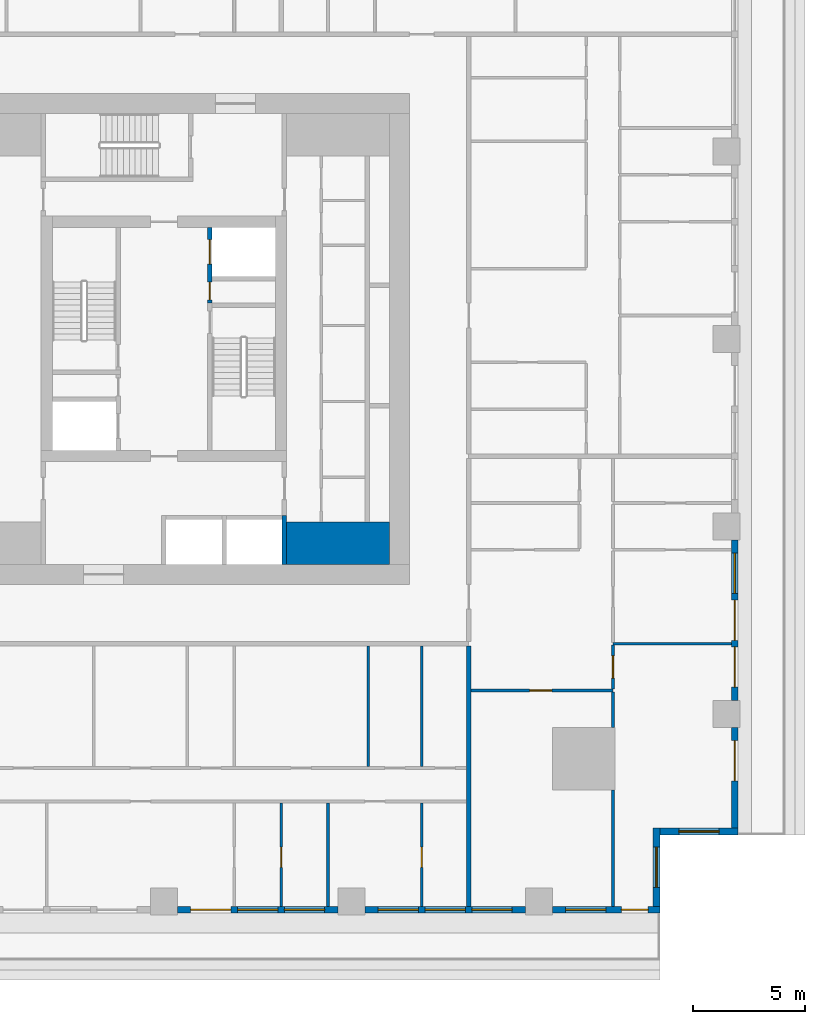
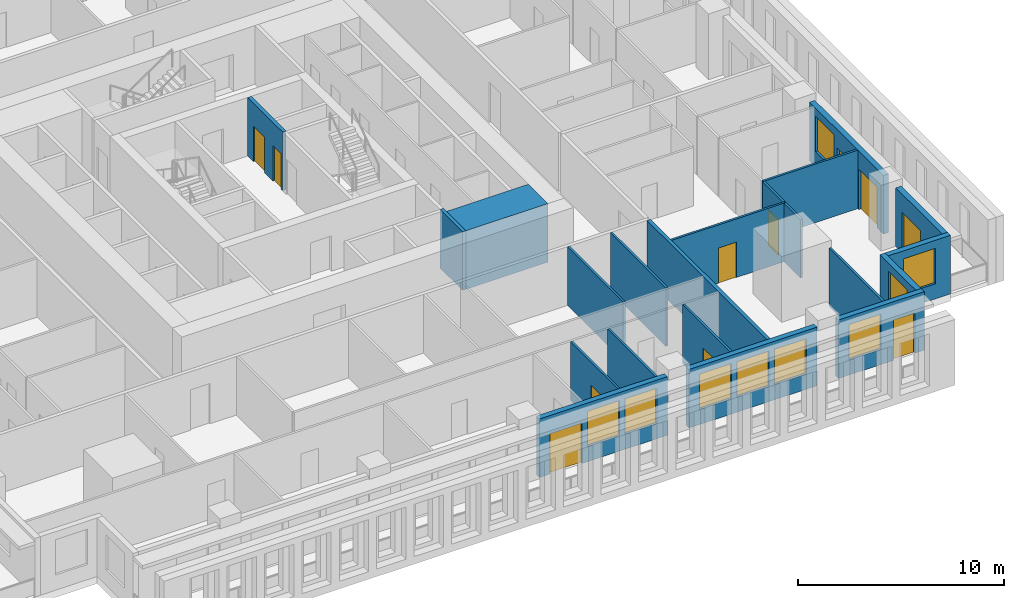
# One storey, part 4 of 14: 21 walls, 11 doors, 9 windows, 20 openings.
"""IFC4 building model written with IfcOpenShell, lengths in metres."""

from ifc_helpers import new_model, si_unit, direction, frame, frame_2d, origin, place, context, subcontext, project, spatial, rectangle, extrude, material, layer, layer_set, type_object, element, fill, save


model = new_model("IFC4")

# Units and contexts
model_context = context("Model", 3, precision=1e-05, world=origin(), true_north=direction((0.0, 1.0)))
body_context = subcontext(model_context, "Body", "Model", "MODEL_VIEW")
ifc_project = project(units=[si_unit("LENGTHUNIT", "METRE"), si_unit("AREAUNIT", "SQUARE_METRE"), si_unit("VOLUMEUNIT", "CUBIC_METRE"), si_unit("PLANEANGLEUNIT", "RADIAN"), si_unit("MASSUNIT", "GRAM", prefix="KILO")], contexts=[model_context])

# Site, building, storey
site_placement = place(None, origin())
site = spatial("IfcSite", under=ifc_project, at=site_placement, CompositionType="ELEMENT")
building_placement = place(site_placement, origin())
building = spatial("IfcBuilding", under=site, at=building_placement, Name="Khepri Terraces", CompositionType="ELEMENT")
storey_placement = place(building_placement, frame((0.0, 0.0, 106.5)))
storey = spatial("IfcBuildingStorey", under=building, at=storey_placement, Name="L25", CompositionType="ELEMENT", Elevation=106.5)

# Walls
ifc_material_1 = material(Name="Concrete C70/85", Category="concrete")
ifc_layer_1 = layer(ifc_material_1, 1.89990234375, Name="Concrete C70/85", Category="concrete")
ifc_layer_set_1 = layer_set([ifc_layer_1], Name="Concrete C70/85")
wall_type_1 = type_object("IfcWallType", Name="Core wall 1900 C70/85", PredefinedType="SHEAR", material=ifc_layer_set_1)
wall_1_placement = place(storey_placement, frame((5.5, -9.14990234375, 0.0), z_axis=(0.0, 0.0, 1.0), x_axis=(1.0, 0.0, 0.0)))
element("IfcWall", 1, at=wall_1_placement, inside=storey, type_object=wall_type_1, Name="Core wall PR02 L25", PredefinedType="SHEAR", context=body_context, shape_type="SweptSolid", body=[
    extrude(rectangle(XDim=4.60009765625, YDim=1.89990234375, at=frame_2d((2.300048828125, 0.0))), origin(), (0.0, 0.0, 1.0), 3.47998046875),
])
ifc_layer_2 = layer(ifc_material_1, 0.199951171875, Name="Concrete C70/85", Category="concrete")
ifc_layer_set_2 = layer_set([ifc_layer_2], Name="Concrete C70/85")
wall_type_2 = type_object("IfcWallType", Name="Core wall 200 C70/85", PredefinedType="SHEAR", material=ifc_layer_set_2)
wall_2_placement = place(storey_placement, frame((5.39990234375, -10.10009765625, 0.0), z_axis=(0.0, 0.0, 1.0), x_axis=(0.0, 1.0, 0.0)))
element("IfcWall", 2, at=wall_2_placement, inside=storey, type_object=wall_type_2, Name="Core wall SH03 L25", PredefinedType="SHEAR", context=body_context, shape_type="SweptSolid", body=[
    extrude(rectangle(XDim=2.2001953125, YDim=0.199951171875, at=frame_2d((1.10009765625, 0.0))), origin(), (0.0, 0.0, 1.0), 3.47998046875),
])

# Wall, openings, doors
wall_3_placement = place(storey_placement, frame((2.050048828125, 1.60009765625, 0.0), z_axis=(0.0, 0.0, 1.0), x_axis=(0.0, 1.0, 0.0)))
wall_3 = element("IfcWall", 3, at=wall_3_placement, inside=storey, type_object=wall_type_2, Name="Core wall SH15 L25", PredefinedType="SHEAR", context=body_context, shape_type="SweptSolid", body=[
    extrude(rectangle(XDim=3.39990234375, YDim=0.199951171875, at=frame_2d((1.699951171875, 0.0))), origin(), (0.0, 0.0, 1.0), 3.47998046875),
])
opening_1_placement = place(wall_3_placement, frame((1.75, 0.0, 0.0)))
opening_1 = element("IfcOpeningElement", 4, at=opening_1_placement, cuts=wall_3, Name="Opening L25-C07", PredefinedType="OPENING", context=body_context, shape_type="SweptSolid", body=[
    extrude(rectangle(XDim=1.10009765625, YDim=2.10009765625, at=frame_2d((0.550048828125, 1.050048828125))), frame((0.0, 0.10986328125, 0.0), z_axis=(0.0, -1.0, 0.0), x_axis=(1.0, 0.0, 0.0)), (0.0, 0.0, 1.0), 0.219970703125),
])
opening_2_placement = place(wall_3_placement, frame((0.14990234375, 0.0, 0.0)))
opening_2 = element("IfcOpeningElement", 5, at=opening_2_placement, cuts=wall_3, Name="Opening L25-C11", PredefinedType="OPENING", context=body_context, shape_type="SweptSolid", body=[
    extrude(rectangle(XDim=0.800048828125, YDim=2.10009765625, at=frame_2d((0.39990234375, 1.050048828125))), frame((0.0, 0.10986328125, 0.0), z_axis=(0.0, -1.0, 0.0), x_axis=(1.0, 0.0, 0.0)), (0.0, 0.0, 1.0), 0.219970703125),
])
ifc_material_2 = material(Name="Stainless steel 304", Category="steel")
door_type_1 = type_object("IfcDoorType", Name="DR-CORE-FF-LANDING-1100", OperationType="NOTDEFINED", PredefinedType="DOOR", material=ifc_material_2)
door_1_placement = place(opening_1_placement, origin())
door_1 = element("IfcDoor", 6, at=door_1_placement, inside=storey, type_object=door_type_1, Name="Firefighting lift landing door L25-C07", OperationType="SLIDING_TO_LEFT", OverallHeight=2.10009765625, OverallWidth=1.10009765625, PredefinedType="DOOR", context=body_context, shape_type="SweptSolid", body=[
    extrude(rectangle(XDim=1.10009765625, YDim=2.10009765625, at=frame_2d((0.550048828125, 1.050048828125))), frame((0.0, 0.02490234375, 0.0), z_axis=(0.0, -1.0, 0.0), x_axis=(1.0, 0.0, 0.0)), (0.0, 0.0, 1.0), 0.050048828125),
])
fill(opening_1, door_1)
ifc_material_3 = material(Name="Painted steel", Category="steel")
door_type_2 = type_object("IfcDoorType", Name="DR-CORE-RISER-800", OperationType="NOTDEFINED", PredefinedType="DOOR", material=ifc_material_3)
door_2_placement = place(opening_2_placement, frame((0.800048828125, 0.0, 0.0), z_axis=(0.0, 0.0, 1.0), x_axis=(-1.0, 0.0, 0.0)))
door_2 = element("IfcDoor", 7, at=door_2_placement, inside=storey, type_object=door_type_2, Name="Riser door L25-C11", OperationType="SINGLE_SWING_RIGHT", OverallHeight=2.10009765625, OverallWidth=0.800048828125, PredefinedType="DOOR", context=body_context, shape_type="SweptSolid", body=[
    extrude(rectangle(XDim=0.800048828125, YDim=2.10009765625, at=frame_2d((0.39990234375, 1.050048828125))), frame((0.0, 0.02490234375, 0.0), z_axis=(0.0, -1.0, 0.0), x_axis=(1.0, 0.0, 0.0)), (0.0, 0.0, 1.0), 0.050048828125),
])
fill(opening_2, door_2)

# Wall
ifc_material_4 = material(Name="Fire-rated gypsum plasterboard partition, mineral wool")
ifc_layer_3 = layer(ifc_material_4, 0.199951171875, Name="Fire-rated gypsum plasterboard partition, mineral wool")
ifc_layer_set_3 = layer_set([ifc_layer_3], Name="Fire-rated gypsum plasterboard partition, mineral wool")
wall_type_3 = type_object("IfcWallType", Name="WL-CORR-200", PredefinedType="PARTITIONING", material=ifc_layer_set_3)
wall_4_placement = place(storey_placement, frame((13.64990234375, -25.419921875, 0.0), z_axis=(0.0, 0.0, 1.0), x_axis=(0.0, 1.0, 0.0)))
element("IfcWall", 8, at=wall_4_placement, inside=storey, type_object=wall_type_3, Name="Partition P-007 L25", PredefinedType="PARTITIONING", context=body_context, shape_type="SweptSolid", body=[
    extrude(rectangle(XDim=11.669921875, YDim=0.199951171875, at=frame_2d((5.8349609375, 0.0))), origin(), (0.0, 0.0, 1.0), 3.47998046875),
])

# Wall, opening, window
ifc_material_5 = material(Name="Precast concrete C50/60 warm stone", Category="masonry")
ifc_layer_4 = layer(ifc_material_5, 0.300048828125, Name="Precast concrete C50/60 warm stone", Category="masonry")
ifc_layer_set_4 = layer_set([ifc_layer_4], Name="Precast concrete C50/60 warm stone")
wall_type_4 = type_object("IfcWallType", Name="WL-EXT-PRECAST-300", PredefinedType="STANDARD", material=ifc_layer_set_4)
wall_5_placement = place(storey_placement, frame((22.219970703125, -22.070068359375, 0.0), z_axis=(0.0, 0.0, 1.0), x_axis=(1.0, 0.0, 0.0)))
wall_5 = element("IfcWall", 9, at=wall_5_placement, inside=storey, type_object=wall_type_4, Name="External wall L25 S", PredefinedType="STANDARD", context=body_context, shape_type="SweptSolid", body=[
    extrude(rectangle(XDim=3.5, YDim=0.300048828125, at=frame_2d((1.75, 0.0))), origin(), (0.0, 0.0, 1.0), 3.47998046875),
])
opening_3_placement = place(wall_5_placement, frame((0.85009765625, 0.0, 0.89990234375)))
opening_3 = element("IfcOpeningElement", 10, at=opening_3_placement, cuts=wall_5, Name="Opening W1", PredefinedType="OPENING", context=body_context, shape_type="SweptSolid", body=[
    extrude(rectangle(XDim=1.800048828125, YDim=2.10009765625, at=frame_2d((0.89990234375, 1.050048828125))), frame((0.0, 0.16015625, 0.0), z_axis=(0.0, -1.0, 0.0), x_axis=(1.0, 0.0, 0.0)), (0.0, 0.0, 1.0), 0.320068359375),
])
ifc_material_6 = material(Name="Clear glass", Category="glass")
window_type = type_object("IfcWindowType", Name="WIN-RES-1800x2100", PartitioningType="SINGLE_PANEL", PredefinedType="WINDOW", material=ifc_material_6)
window_1_placement = place(opening_3_placement, origin())
window_1 = element("IfcWindow", 11, at=window_1_placement, inside=storey, type_object=window_type, Name="Window L25 S", OverallHeight=2.10009765625, OverallWidth=1.800048828125, PartitioningType="SINGLE_PANEL", PredefinedType="WINDOW", context=body_context, shape_type="SweptSolid", body=[
    extrude(rectangle(XDim=1.800048828125, YDim=2.10009765625, at=frame_2d((0.89990234375, 1.050048828125))), frame((0.0, 0.030029296875, 0.0), z_axis=(0.0, -1.0, 0.0), x_axis=(1.0, 0.0, 0.0)), (0.0, 0.0, 1.0), 0.06005859375),
])
fill(opening_3, window_1)

# Wall, opening, door
wall_6_placement = place(storey_placement, frame((25.570068359375, -21.919921875, 0.0), z_axis=(0.0, 0.0, 1.0), x_axis=(0.0, 1.0, 0.0)))
wall_6 = element("IfcWall", 12, at=wall_6_placement, inside=storey, type_object=wall_type_4, Name="External wall L25 E", PredefinedType="STANDARD", context=body_context, shape_type="SweptSolid", body=[
    extrude(rectangle(XDim=4.52001953125, YDim=0.300048828125, at=frame_2d((2.260009765625, 0.0))), origin(), (0.0, 0.0, 1.0), 3.47998046875),
])
opening_4_placement = place(wall_6_placement, frame((2.1201171875, 0.0, 0.0)))
opening_4 = element("IfcOpeningElement", 13, at=opening_4_placement, cuts=wall_6, Name="Opening ED-L25-01", PredefinedType="OPENING", context=body_context, shape_type="SweptSolid", body=[
    extrude(rectangle(XDim=1.800048828125, YDim=2.39990234375, at=frame_2d((0.89990234375, 1.199951171875))), frame((0.0, 0.16015625, 0.0), z_axis=(0.0, -1.0, 0.0), x_axis=(1.0, 0.0, 0.0)), (0.0, 0.0, 1.0), 0.320068359375),
])
ifc_material_7 = material(Name="Anodised aluminium bronze glazed door", Category="aluminium")
door_type_3 = type_object("IfcDoorType", Name="DR-BAL-SLIDE-1800x2400", OperationType="NOTDEFINED", PredefinedType="DOOR", material=ifc_material_7)
door_3_placement = place(opening_4_placement, origin())
door_3 = element("IfcDoor", 14, at=door_3_placement, inside=storey, type_object=door_type_3, Name="Balcony door L25 E", OperationType="SLIDING_TO_RIGHT", OverallHeight=2.39990234375, OverallWidth=1.800048828125, PredefinedType="DOOR", context=body_context, shape_type="SweptSolid", body=[
    extrude(rectangle(XDim=1.800048828125, YDim=2.39990234375, at=frame_2d((0.89990234375, 1.199951171875))), frame((0.0, 0.02490234375, 0.0), z_axis=(0.0, -1.0, 0.0), x_axis=(1.0, 0.0, 0.0)), (0.0, 0.0, 1.0), 0.050048828125),
])
fill(opening_4, door_3)

# Wall, openings, doors, window
wall_7_placement = place(storey_placement, frame((25.570068359375, -16.199951171875, 0.0), z_axis=(0.0, 0.0, 1.0), x_axis=(0.0, 1.0, 0.0)))
wall_7 = element("IfcWall", 15, at=wall_7_placement, inside=storey, type_object=wall_type_4, Name="External wall L25 E", PredefinedType="STANDARD", context=body_context, shape_type="SweptSolid", body=[
    extrude(rectangle(XDim=7.199951171875, YDim=0.300048828125, at=frame_2d((3.60009765625, 0.0))), origin(), (0.0, 0.0, 1.0), 3.47998046875),
])
opening_5_placement = place(wall_7_placement, frame((0.60009765625, 0.0, 0.0)))
opening_5 = element("IfcOpeningElement", 16, at=opening_5_placement, cuts=wall_7, Name="Opening ED-L25-02", PredefinedType="OPENING", context=body_context, shape_type="SweptSolid", body=[
    extrude(rectangle(XDim=1.800048828125, YDim=2.39990234375, at=frame_2d((0.89990234375, 1.199951171875))), frame((0.0, 0.16015625, 0.0), z_axis=(0.0, -1.0, 0.0), x_axis=(1.0, 0.0, 0.0)), (0.0, 0.0, 1.0), 0.320068359375),
])
opening_6_placement = place(wall_7_placement, frame((2.699951171875, 0.0, 0.0)))
opening_6 = element("IfcOpeningElement", 17, at=opening_6_placement, cuts=wall_7, Name="Opening ED-L25-03", PredefinedType="OPENING", context=body_context, shape_type="SweptSolid", body=[
    extrude(rectangle(XDim=1.800048828125, YDim=2.39990234375, at=frame_2d((0.89990234375, 1.199951171875))), frame((0.0, 0.16015625, 0.0), z_axis=(0.0, -1.0, 0.0), x_axis=(1.0, 0.0, 0.0)), (0.0, 0.0, 1.0), 0.320068359375),
])
opening_7_placement = place(wall_7_placement, frame((4.800048828125, 0.0, 0.89990234375)))
opening_7 = element("IfcOpeningElement", 18, at=opening_7_placement, cuts=wall_7, Name="Opening W1", PredefinedType="OPENING", context=body_context, shape_type="SweptSolid", body=[
    extrude(rectangle(XDim=1.800048828125, YDim=2.10009765625, at=frame_2d((0.89990234375, 1.050048828125))), frame((0.0, 0.16015625, 0.0), z_axis=(0.0, -1.0, 0.0), x_axis=(1.0, 0.0, 0.0)), (0.0, 0.0, 1.0), 0.320068359375),
])
door_4_placement = place(opening_5_placement, origin())
door_4 = element("IfcDoor", 19, at=door_4_placement, inside=storey, type_object=door_type_3, Name="Balcony door L25 E", OperationType="SLIDING_TO_LEFT", OverallHeight=2.39990234375, OverallWidth=1.800048828125, PredefinedType="DOOR", context=body_context, shape_type="SweptSolid", body=[
    extrude(rectangle(XDim=1.800048828125, YDim=2.39990234375, at=frame_2d((0.89990234375, 1.199951171875))), frame((0.0, 0.02490234375, 0.0), z_axis=(0.0, -1.0, 0.0), x_axis=(1.0, 0.0, 0.0)), (0.0, 0.0, 1.0), 0.050048828125),
])
fill(opening_5, door_4)
door_5_placement = place(opening_6_placement, origin())
door_5 = element("IfcDoor", 20, at=door_5_placement, inside=storey, type_object=door_type_3, Name="Balcony door L25 E", OperationType="SLIDING_TO_RIGHT", OverallHeight=2.39990234375, OverallWidth=1.800048828125, PredefinedType="DOOR", context=body_context, shape_type="SweptSolid", body=[
    extrude(rectangle(XDim=1.800048828125, YDim=2.39990234375, at=frame_2d((0.89990234375, 1.199951171875))), frame((0.0, 0.02490234375, 0.0), z_axis=(0.0, -1.0, 0.0), x_axis=(1.0, 0.0, 0.0)), (0.0, 0.0, 1.0), 0.050048828125),
])
fill(opening_6, door_5)
window_2_placement = place(opening_7_placement, origin())
window_2 = element("IfcWindow", 21, at=window_2_placement, inside=storey, type_object=window_type, Name="Window L25 E", OverallHeight=2.10009765625, OverallWidth=1.800048828125, PartitioningType="SINGLE_PANEL", PredefinedType="WINDOW", context=body_context, shape_type="SweptSolid", body=[
    extrude(rectangle(XDim=1.800048828125, YDim=2.10009765625, at=frame_2d((0.89990234375, 1.050048828125))), frame((0.0, 0.030029296875, 0.0), z_axis=(0.0, -1.0, 0.0), x_axis=(1.0, 0.0, 0.0)), (0.0, 0.0, 1.0), 0.06005859375),
])
fill(opening_7, window_2)

# Wall, openings, door, windows
wall_8_placement = place(storey_placement, frame((0.60009765625, -25.570068359375, 0.0), z_axis=(0.0, 0.0, 1.0), x_axis=(1.0, 0.0, 0.0)))
wall_8 = element("IfcWall", 22, at=wall_8_placement, inside=storey, type_object=wall_type_4, Name="External wall L25 S", PredefinedType="STANDARD", context=body_context, shape_type="SweptSolid", body=[
    extrude(rectangle(XDim=7.199951171875, YDim=0.300048828125, at=frame_2d((3.60009765625, 0.0))), origin(), (0.0, 0.0, 1.0), 3.47998046875),
])
opening_8_placement = place(wall_8_placement, frame((0.60009765625, 0.0, 0.0)))
opening_8 = element("IfcOpeningElement", 23, at=opening_8_placement, cuts=wall_8, Name="Opening ED-L25-21", PredefinedType="OPENING", context=body_context, shape_type="SweptSolid", body=[
    extrude(rectangle(XDim=1.800048828125, YDim=2.39990234375, at=frame_2d((0.89990234375, 1.199951171875))), frame((0.0, 0.16015625, 0.0), z_axis=(0.0, -1.0, 0.0), x_axis=(1.0, 0.0, 0.0)), (0.0, 0.0, 1.0), 0.320068359375),
])
opening_9_placement = place(wall_8_placement, frame((2.699951171875, 0.0, 0.89990234375)))
opening_9 = element("IfcOpeningElement", 24, at=opening_9_placement, cuts=wall_8, Name="Opening W1", PredefinedType="OPENING", context=body_context, shape_type="SweptSolid", body=[
    extrude(rectangle(XDim=1.800048828125, YDim=2.10009765625, at=frame_2d((0.89990234375, 1.050048828125))), frame((0.0, 0.16015625, 0.0), z_axis=(0.0, -1.0, 0.0), x_axis=(1.0, 0.0, 0.0)), (0.0, 0.0, 1.0), 0.320068359375),
])
opening_10_placement = place(wall_8_placement, frame((4.800048828125, 0.0, 0.89990234375)))
opening_10 = element("IfcOpeningElement", 25, at=opening_10_placement, cuts=wall_8, Name="Opening W1", PredefinedType="OPENING", context=body_context, shape_type="SweptSolid", body=[
    extrude(rectangle(XDim=1.800048828125, YDim=2.10009765625, at=frame_2d((0.89990234375, 1.050048828125))), frame((0.0, 0.16015625, 0.0), z_axis=(0.0, -1.0, 0.0), x_axis=(1.0, 0.0, 0.0)), (0.0, 0.0, 1.0), 0.320068359375),
])
door_6_placement = place(opening_8_placement, origin())
door_6 = element("IfcDoor", 26, at=door_6_placement, inside=storey, type_object=door_type_3, Name="Balcony door L25 S", OperationType="SLIDING_TO_LEFT", OverallHeight=2.39990234375, OverallWidth=1.800048828125, PredefinedType="DOOR", context=body_context, shape_type="SweptSolid", body=[
    extrude(rectangle(XDim=1.800048828125, YDim=2.39990234375, at=frame_2d((0.89990234375, 1.199951171875))), frame((0.0, 0.02490234375, 0.0), z_axis=(0.0, -1.0, 0.0), x_axis=(1.0, 0.0, 0.0)), (0.0, 0.0, 1.0), 0.050048828125),
])
fill(opening_8, door_6)
window_3_placement = place(opening_9_placement, origin())
window_3 = element("IfcWindow", 27, at=window_3_placement, inside=storey, type_object=window_type, Name="Window L25 S", OverallHeight=2.10009765625, OverallWidth=1.800048828125, PartitioningType="SINGLE_PANEL", PredefinedType="WINDOW", context=body_context, shape_type="SweptSolid", body=[
    extrude(rectangle(XDim=1.800048828125, YDim=2.10009765625, at=frame_2d((0.89990234375, 1.050048828125))), frame((0.0, 0.030029296875, 0.0), z_axis=(0.0, -1.0, 0.0), x_axis=(1.0, 0.0, 0.0)), (0.0, 0.0, 1.0), 0.06005859375),
])
fill(opening_9, window_3)
window_4_placement = place(opening_10_placement, origin())
window_4 = element("IfcWindow", 28, at=window_4_placement, inside=storey, type_object=window_type, Name="Window L25 S", OverallHeight=2.10009765625, OverallWidth=1.800048828125, PartitioningType="SINGLE_PANEL", PredefinedType="WINDOW", context=body_context, shape_type="SweptSolid", body=[
    extrude(rectangle(XDim=1.800048828125, YDim=2.10009765625, at=frame_2d((0.89990234375, 1.050048828125))), frame((0.0, 0.030029296875, 0.0), z_axis=(0.0, -1.0, 0.0), x_axis=(1.0, 0.0, 0.0)), (0.0, 0.0, 1.0), 0.06005859375),
])
fill(opening_10, window_4)

# Wall, openings, windows
wall_9_placement = place(storey_placement, frame((9.0, -25.570068359375, 0.0), z_axis=(0.0, 0.0, 1.0), x_axis=(1.0, 0.0, 0.0)))
wall_9 = element("IfcWall", 29, at=wall_9_placement, inside=storey, type_object=wall_type_4, Name="External wall L25 S", PredefinedType="STANDARD", context=body_context, shape_type="SweptSolid", body=[
    extrude(rectangle(XDim=7.199951171875, YDim=0.300048828125, at=frame_2d((3.60009765625, 0.0))), origin(), (0.0, 0.0, 1.0), 3.47998046875),
])
opening_11_placement = place(wall_9_placement, frame((0.60009765625, 0.0, 0.89990234375)))
opening_11 = element("IfcOpeningElement", 30, at=opening_11_placement, cuts=wall_9, Name="Opening W1", PredefinedType="OPENING", context=body_context, shape_type="SweptSolid", body=[
    extrude(rectangle(XDim=1.800048828125, YDim=2.10009765625, at=frame_2d((0.89990234375, 1.050048828125))), frame((0.0, 0.16015625, 0.0), z_axis=(0.0, -1.0, 0.0), x_axis=(1.0, 0.0, 0.0)), (0.0, 0.0, 1.0), 0.320068359375),
])
opening_12_placement = place(wall_9_placement, frame((2.699951171875, 0.0, 0.89990234375)))
opening_12 = element("IfcOpeningElement", 31, at=opening_12_placement, cuts=wall_9, Name="Opening W1", PredefinedType="OPENING", context=body_context, shape_type="SweptSolid", body=[
    extrude(rectangle(XDim=1.800048828125, YDim=2.10009765625, at=frame_2d((0.89990234375, 1.050048828125))), frame((0.0, 0.16015625, 0.0), z_axis=(0.0, -1.0, 0.0), x_axis=(1.0, 0.0, 0.0)), (0.0, 0.0, 1.0), 0.320068359375),
])
opening_13_placement = place(wall_9_placement, frame((4.800048828125, 0.0, 0.89990234375)))
opening_13 = element("IfcOpeningElement", 32, at=opening_13_placement, cuts=wall_9, Name="Opening W1", PredefinedType="OPENING", context=body_context, shape_type="SweptSolid", body=[
    extrude(rectangle(XDim=1.800048828125, YDim=2.10009765625, at=frame_2d((0.89990234375, 1.050048828125))), frame((0.0, 0.16015625, 0.0), z_axis=(0.0, -1.0, 0.0), x_axis=(1.0, 0.0, 0.0)), (0.0, 0.0, 1.0), 0.320068359375),
])
window_5_placement = place(opening_11_placement, origin())
window_5 = element("IfcWindow", 33, at=window_5_placement, inside=storey, type_object=window_type, Name="Window L25 S", OverallHeight=2.10009765625, OverallWidth=1.800048828125, PartitioningType="SINGLE_PANEL", PredefinedType="WINDOW", context=body_context, shape_type="SweptSolid", body=[
    extrude(rectangle(XDim=1.800048828125, YDim=2.10009765625, at=frame_2d((0.89990234375, 1.050048828125))), frame((0.0, 0.030029296875, 0.0), z_axis=(0.0, -1.0, 0.0), x_axis=(1.0, 0.0, 0.0)), (0.0, 0.0, 1.0), 0.06005859375),
])
fill(opening_11, window_5)
window_6_placement = place(opening_12_placement, origin())
window_6 = element("IfcWindow", 34, at=window_6_placement, inside=storey, type_object=window_type, Name="Window L25 S", OverallHeight=2.10009765625, OverallWidth=1.800048828125, PartitioningType="SINGLE_PANEL", PredefinedType="WINDOW", context=body_context, shape_type="SweptSolid", body=[
    extrude(rectangle(XDim=1.800048828125, YDim=2.10009765625, at=frame_2d((0.89990234375, 1.050048828125))), frame((0.0, 0.030029296875, 0.0), z_axis=(0.0, -1.0, 0.0), x_axis=(1.0, 0.0, 0.0)), (0.0, 0.0, 1.0), 0.06005859375),
])
fill(opening_12, window_6)
window_7_placement = place(opening_13_placement, origin())
window_7 = element("IfcWindow", 35, at=window_7_placement, inside=storey, type_object=window_type, Name="Window L25 S", OverallHeight=2.10009765625, OverallWidth=1.800048828125, PartitioningType="SINGLE_PANEL", PredefinedType="WINDOW", context=body_context, shape_type="SweptSolid", body=[
    extrude(rectangle(XDim=1.800048828125, YDim=2.10009765625, at=frame_2d((0.89990234375, 1.050048828125))), frame((0.0, 0.030029296875, 0.0), z_axis=(0.0, -1.0, 0.0), x_axis=(1.0, 0.0, 0.0)), (0.0, 0.0, 1.0), 0.06005859375),
])
fill(opening_13, window_7)

# Wall, openings, door, window
wall_10_placement = place(storey_placement, frame((17.39990234375, -25.570068359375, 0.0), z_axis=(0.0, 0.0, 1.0), x_axis=(1.0, 0.0, 0.0)))
wall_10 = element("IfcWall", 36, at=wall_10_placement, inside=storey, type_object=wall_type_4, Name="External wall L25 S", PredefinedType="STANDARD", context=body_context, shape_type="SweptSolid", body=[
    extrude(rectangle(XDim=4.820068359375, YDim=0.300048828125, at=frame_2d((2.41015625, 0.0))), origin(), (0.0, 0.0, 1.0), 3.47998046875),
])
opening_14_placement = place(wall_10_placement, frame((0.60009765625, 0.0, 0.89990234375)))
opening_14 = element("IfcOpeningElement", 37, at=opening_14_placement, cuts=wall_10, Name="Opening W1", PredefinedType="OPENING", context=body_context, shape_type="SweptSolid", body=[
    extrude(rectangle(XDim=1.800048828125, YDim=2.10009765625, at=frame_2d((0.89990234375, 1.050048828125))), frame((0.0, 0.16015625, 0.0), z_axis=(0.0, -1.0, 0.0), x_axis=(1.0, 0.0, 0.0)), (0.0, 0.0, 1.0), 0.320068359375),
])
opening_15_placement = place(wall_10_placement, frame((3.094970703125, 0.0, 0.0)))
opening_15 = element("IfcOpeningElement", 38, at=opening_15_placement, cuts=wall_10, Name="Opening ED-L25-22", PredefinedType="OPENING", context=body_context, shape_type="SweptSolid", body=[
    extrude(rectangle(XDim=1.199951171875, YDim=2.39990234375, at=frame_2d((0.60009765625, 1.199951171875))), frame((0.0, 0.16015625, 0.0), z_axis=(0.0, -1.0, 0.0), x_axis=(1.0, 0.0, 0.0)), (0.0, 0.0, 1.0), 0.320068359375),
])
door_type_4 = type_object("IfcDoorType", Name="DR-BAL-SLIDE-1200x2400", OperationType="NOTDEFINED", PredefinedType="DOOR", material=ifc_material_7)
door_7_placement = place(opening_15_placement, origin())
door_7 = element("IfcDoor", 39, at=door_7_placement, inside=storey, type_object=door_type_4, Name="Balcony door L25 S", OperationType="SLIDING_TO_RIGHT", OverallHeight=2.39990234375, OverallWidth=1.199951171875, PredefinedType="DOOR", context=body_context, shape_type="SweptSolid", body=[
    extrude(rectangle(XDim=1.199951171875, YDim=2.39990234375, at=frame_2d((0.60009765625, 1.199951171875))), frame((0.0, 0.02490234375, 0.0), z_axis=(0.0, -1.0, 0.0), x_axis=(1.0, 0.0, 0.0)), (0.0, 0.0, 1.0), 0.050048828125),
])
fill(opening_15, door_7)
window_8_placement = place(opening_14_placement, origin())
window_8 = element("IfcWindow", 40, at=window_8_placement, inside=storey, type_object=window_type, Name="Window L25 S", OverallHeight=2.10009765625, OverallWidth=1.800048828125, PartitioningType="SINGLE_PANEL", PredefinedType="WINDOW", context=body_context, shape_type="SweptSolid", body=[
    extrude(rectangle(XDim=1.800048828125, YDim=2.10009765625, at=frame_2d((0.89990234375, 1.050048828125))), frame((0.0, 0.030029296875, 0.0), z_axis=(0.0, -1.0, 0.0), x_axis=(1.0, 0.0, 0.0)), (0.0, 0.0, 1.0), 0.06005859375),
])
fill(opening_14, window_8)

# Wall, opening, window
wall_11_placement = place(storey_placement, frame((22.070068359375, -25.419921875, 0.0), z_axis=(0.0, 0.0, 1.0), x_axis=(0.0, 1.0, 0.0)))
wall_11 = element("IfcWall", 41, at=wall_11_placement, inside=storey, type_object=wall_type_4, Name="External wall L25 E", PredefinedType="STANDARD", context=body_context, shape_type="SweptSolid", body=[
    extrude(rectangle(XDim=3.5, YDim=0.300048828125, at=frame_2d((1.75, 0.0))), origin(), (0.0, 0.0, 1.0), 3.47998046875),
])
opening_16_placement = place(wall_11_placement, frame((0.85009765625, 0.0, 0.89990234375)))
opening_16 = element("IfcOpeningElement", 42, at=opening_16_placement, cuts=wall_11, Name="Opening W1", PredefinedType="OPENING", context=body_context, shape_type="SweptSolid", body=[
    extrude(rectangle(XDim=1.800048828125, YDim=2.10009765625, at=frame_2d((0.89990234375, 1.050048828125))), frame((0.0, 0.16015625, 0.0), z_axis=(0.0, -1.0, 0.0), x_axis=(1.0, 0.0, 0.0)), (0.0, 0.0, 1.0), 0.320068359375),
])
window_9_placement = place(opening_16_placement, origin())
window_9 = element("IfcWindow", 43, at=window_9_placement, inside=storey, type_object=window_type, Name="Window L25 E", OverallHeight=2.10009765625, OverallWidth=1.800048828125, PartitioningType="SINGLE_PANEL", PredefinedType="WINDOW", context=body_context, shape_type="SweptSolid", body=[
    extrude(rectangle(XDim=1.800048828125, YDim=2.10009765625, at=frame_2d((0.89990234375, 1.050048828125))), frame((0.0, 0.030029296875, 0.0), z_axis=(0.0, -1.0, 0.0), x_axis=(1.0, 0.0, 0.0)), (0.0, 0.0, 1.0), 0.06005859375),
])
fill(opening_16, window_9)

# Wall, opening, door
ifc_material_8 = material(Name="Gypsum plasterboard partition")
ifc_layer_5 = layer(ifc_material_8, 0.1201171875, Name="Gypsum plasterboard partition")
ifc_layer_set_5 = layer_set([ifc_layer_5], Name="Gypsum plasterboard partition")
wall_type_5 = type_object("IfcWallType", Name="WL-PART-120", PredefinedType="PARTITIONING", material=ifc_layer_set_5)
wall_12_placement = place(storey_placement, frame((5.25, -25.419921875, 0.0), z_axis=(0.0, 0.0, 1.0), x_axis=(0.0, 1.0, 0.0)))
wall_12 = element("IfcWall", 44, at=wall_12_placement, inside=storey, type_object=wall_type_5, Name="Partition P-004 L25", PredefinedType="PARTITIONING", context=body_context, shape_type="SweptSolid", body=[
    extrude(rectangle(XDim=4.639892578125, YDim=0.1201171875, at=frame_2d((2.31982421875, 0.0))), origin(), (0.0, 0.0, 1.0), 3.47998046875),
])
opening_17_placement = place(wall_12_placement, frame((1.75, 0.0, 0.0)))
opening_17 = element("IfcOpeningElement", 45, at=opening_17_placement, cuts=wall_12, Name="Opening D4", PredefinedType="OPENING", context=body_context, shape_type="SweptSolid", body=[
    extrude(rectangle(XDim=0.89990234375, YDim=2.10009765625, at=frame_2d((0.449951171875, 1.050048828125))), frame((0.0, 0.070068359375, 0.0), z_axis=(0.0, -1.0, 0.0), x_axis=(1.0, 0.0, 0.0)), (0.0, 0.0, 1.0), 0.14013671875),
])
ifc_material_9 = material(Name="Timber door leaf, moisture resistant", Category="wood")
door_type_5 = type_object("IfcDoorType", Name="DR-WET-900", OperationType="NOTDEFINED", PredefinedType="DOOR", material=ifc_material_9)
door_8_placement = place(opening_17_placement, frame((0.89990234375, 0.0, 0.0), z_axis=(0.0, 0.0, 1.0), x_axis=(-1.0, 0.0, 0.0)))
door_8 = element("IfcDoor", 46, at=door_8_placement, inside=storey, type_object=door_type_5, Name="Door Bathroom", OperationType="SINGLE_SWING_RIGHT", OverallHeight=2.10009765625, OverallWidth=0.89990234375, PredefinedType="DOOR", context=body_context, shape_type="SweptSolid", body=[
    extrude(rectangle(XDim=0.89990234375, YDim=2.10009765625, at=frame_2d((0.449951171875, 1.050048828125))), frame((0.0, 0.02490234375, 0.0), z_axis=(0.0, -1.0, 0.0), x_axis=(1.0, 0.0, 0.0)), (0.0, 0.0, 1.0), 0.050048828125),
])
fill(opening_17, door_8)

# Wall
wall_13_placement = place(storey_placement, frame((7.35009765625, -25.419921875, 0.0), z_axis=(0.0, 0.0, 1.0), x_axis=(0.0, 1.0, 0.0)))
element("IfcWall", 47, at=wall_13_placement, inside=storey, type_object=wall_type_5, Name="Partition P-005 L25", PredefinedType="PARTITIONING", context=body_context, shape_type="SweptSolid", body=[
    extrude(rectangle(XDim=4.639892578125, YDim=0.1201171875, at=frame_2d((2.31982421875, 0.0))), origin(), (0.0, 0.0, 1.0), 3.47998046875),
])

# Wall, opening, door
wall_14_placement = place(storey_placement, frame((11.550048828125, -25.419921875, 0.0), z_axis=(0.0, 0.0, 1.0), x_axis=(0.0, 1.0, 0.0)))
wall_14 = element("IfcWall", 48, at=wall_14_placement, inside=storey, type_object=wall_type_5, Name="Partition P-006 L25", PredefinedType="PARTITIONING", context=body_context, shape_type="SweptSolid", body=[
    extrude(rectangle(XDim=4.639892578125, YDim=0.1201171875, at=frame_2d((2.31982421875, 0.0))), origin(), (0.0, 0.0, 1.0), 3.47998046875),
])
opening_18_placement = place(wall_14_placement, frame((1.75, 0.0, 0.0)))
opening_18 = element("IfcOpeningElement", 49, at=opening_18_placement, cuts=wall_14, Name="Opening D4", PredefinedType="OPENING", context=body_context, shape_type="SweptSolid", body=[
    extrude(rectangle(XDim=0.89990234375, YDim=2.10009765625, at=frame_2d((0.449951171875, 1.050048828125))), frame((0.0, 0.070068359375, 0.0), z_axis=(0.0, -1.0, 0.0), x_axis=(1.0, 0.0, 0.0)), (0.0, 0.0, 1.0), 0.14013671875),
])
door_9_placement = place(opening_18_placement, frame((0.89990234375, 0.0, 0.0), z_axis=(0.0, 0.0, 1.0), x_axis=(-1.0, 0.0, 0.0)))
door_9 = element("IfcDoor", 50, at=door_9_placement, inside=storey, type_object=door_type_5, Name="Door Bathroom", OperationType="SINGLE_SWING_RIGHT", OverallHeight=2.10009765625, OverallWidth=0.89990234375, PredefinedType="DOOR", context=body_context, shape_type="SweptSolid", body=[
    extrude(rectangle(XDim=0.89990234375, YDim=2.10009765625, at=frame_2d((0.449951171875, 1.050048828125))), frame((0.0, 0.02490234375, 0.0), z_axis=(0.0, -1.0, 0.0), x_axis=(1.0, 0.0, 0.0)), (0.0, 0.0, 1.0), 0.050048828125),
])
fill(opening_18, door_9)

# Walls
wall_15_placement = place(storey_placement, frame((20.1201171875, -25.419921875, 0.0), z_axis=(0.0, 0.0, 1.0), x_axis=(0.0, 1.0, 0.0)))
element("IfcWall", 51, at=wall_15_placement, inside=storey, type_object=wall_type_5, Name="Partition P-008 L25", PredefinedType="PARTITIONING", context=body_context, shape_type="SweptSolid", body=[
    extrude(rectangle(XDim=5.219970703125, YDim=0.1201171875, at=frame_2d((2.60986328125, 0.0))), origin(), (0.0, 0.0, 1.0), 3.47998046875),
])
for number, where, z_axis, x_axis, name in (
    (52, (9.14990234375, -19.159912109375, 0.0), (0.0, 0.0, 1.0), (0.0, 1.0, 0.0), "Partition P-016 L25"),
    (53, (11.550048828125, -19.159912109375, 0.0), (0.0, 0.0, 1.0), (0.0, 1.0, 0.0), "Partition P-017 L25"),
):
    element("IfcWall", number, at=place(storey_placement, frame(where, z_axis=z_axis, x_axis=x_axis)), inside=storey, type_object=wall_type_5, Name=name, PredefinedType="PARTITIONING", context=body_context, shape_type="SweptSolid", body=[
        extrude(rectangle(XDim=5.409912109375, YDim=0.1201171875, at=frame_2d((2.705078125, 0.0))), origin(), (0.0, 0.0, 1.0), 3.47998046875),
    ])
wall_16_placement = place(storey_placement, frame((20.1201171875, -17.39990234375, 0.0), z_axis=(0.0, 0.0, 1.0), x_axis=(0.0, 1.0, 0.0)))
element("IfcWall", 54, at=wall_16_placement, inside=storey, type_object=wall_type_5, Name="Partition P-018 L25", PredefinedType="PARTITIONING", context=body_context, shape_type="SweptSolid", body=[
    extrude(rectangle(XDim=1.58984375, YDim=0.1201171875, at=frame_2d((0.794921875, 0.0))), origin(), (0.0, 0.0, 1.0), 3.47998046875),
])

# Wall, opening, door
wall_17_placement = place(storey_placement, frame((13.75, -15.75, 0.0), z_axis=(0.0, 0.0, 1.0), x_axis=(1.0, 0.0, 0.0)))
wall_17 = element("IfcWall", 55, at=wall_17_placement, inside=storey, type_object=wall_type_5, Name="Partition P-019 L25", PredefinedType="PARTITIONING", context=body_context, shape_type="SweptSolid", body=[
    extrude(rectangle(XDim=6.3701171875, YDim=0.1201171875, at=frame_2d((3.18505859375, 0.0))), origin(), (0.0, 0.0, 1.0), 3.47998046875),
])
opening_19_placement = place(wall_17_placement, frame((2.635009765625, 0.0, 0.0)))
opening_19 = element("IfcOpeningElement", 56, at=opening_19_placement, cuts=wall_17, Name="Opening D2", PredefinedType="OPENING", context=body_context, shape_type="SweptSolid", body=[
    extrude(rectangle(XDim=1.0, YDim=2.10009765625, at=frame_2d((0.5, 1.050048828125))), frame((0.0, 0.070068359375, 0.0), z_axis=(0.0, -1.0, 0.0), x_axis=(1.0, 0.0, 0.0)), (0.0, 0.0, 1.0), 0.14013671875),
])
ifc_material_10 = material(Name="Timber door leaf, living room door", Category="wood")
door_type_6 = type_object("IfcDoorType", Name="DR-INT-1000", OperationType="NOTDEFINED", PredefinedType="DOOR", material=ifc_material_10)
door_10_placement = place(opening_19_placement, frame((1.0, 0.0, 0.0), z_axis=(0.0, 0.0, 1.0), x_axis=(-1.0, 0.0, 0.0)))
door_10 = element("IfcDoor", 57, at=door_10_placement, inside=storey, type_object=door_type_6, Name="Door Family Room", OperationType="SINGLE_SWING_RIGHT", OverallHeight=2.10009765625, OverallWidth=1.0, PredefinedType="DOOR", context=body_context, shape_type="SweptSolid", body=[
    extrude(rectangle(XDim=1.0, YDim=2.10009765625, at=frame_2d((0.5, 1.050048828125))), frame((0.0, 0.02490234375, 0.0), z_axis=(0.0, -1.0, 0.0), x_axis=(1.0, 0.0, 0.0)), (0.0, 0.0, 1.0), 0.050048828125),
])
fill(opening_19, door_10)

wall_18_placement = place(storey_placement, frame((20.1201171875, -15.68994140625, 0.0), z_axis=(0.0, 0.0, 1.0), x_axis=(0.0, 1.0, 0.0)))
wall_18 = element("IfcWall", 58, at=wall_18_placement, inside=storey, type_object=wall_type_5, Name="Partition P-020 L25", PredefinedType="PARTITIONING", context=body_context, shape_type="SweptSolid", body=[
    extrude(rectangle(XDim=1.97998046875, YDim=0.1201171875, at=frame_2d((0.989990234375, 0.0))), origin(), (0.0, 0.0, 1.0), 3.47998046875),
])
opening_20_placement = place(wall_18_placement, frame((0.489990234375, 0.0, 0.0)))
opening_20 = element("IfcOpeningElement", 59, at=opening_20_placement, cuts=wall_18, Name="Opening D2", PredefinedType="OPENING", context=body_context, shape_type="SweptSolid", body=[
    extrude(rectangle(XDim=1.0, YDim=2.10009765625, at=frame_2d((0.5, 1.050048828125))), frame((0.0, 0.070068359375, 0.0), z_axis=(0.0, -1.0, 0.0), x_axis=(1.0, 0.0, 0.0)), (0.0, 0.0, 1.0), 0.14013671875),
])
door_11_placement = place(opening_20_placement, frame((1.0, 0.0, 0.0), z_axis=(0.0, 0.0, 1.0), x_axis=(-1.0, 0.0, 0.0)))
door_11 = element("IfcDoor", 60, at=door_11_placement, inside=storey, type_object=door_type_6, Name="Door Living Room", OperationType="SINGLE_SWING_LEFT", OverallHeight=2.10009765625, OverallWidth=1.0, PredefinedType="DOOR", context=body_context, shape_type="SweptSolid", body=[
    extrude(rectangle(XDim=1.0, YDim=2.10009765625, at=frame_2d((0.5, 1.050048828125))), frame((0.0, 0.02490234375, 0.0), z_axis=(0.0, -1.0, 0.0), x_axis=(1.0, 0.0, 0.0)), (0.0, 0.0, 1.0), 0.050048828125),
])
fill(opening_20, door_11)

# Wall
wall_19_placement = place(storey_placement, frame((20.1201171875, -13.64990234375, 0.0), z_axis=(0.0, 0.0, 1.0), x_axis=(1.0, 0.0, 0.0)))
element("IfcWall", 61, at=wall_19_placement, inside=storey, type_object=wall_type_5, Name="Partition P-022 L25", PredefinedType="PARTITIONING", context=body_context, shape_type="SweptSolid", body=[
    extrude(rectangle(XDim=5.2998046875, YDim=0.1201171875, at=frame_2d((2.64990234375, 0.0))), origin(), (0.0, 0.0, 1.0), 3.47998046875),
])

save(model, "model.ifc")
